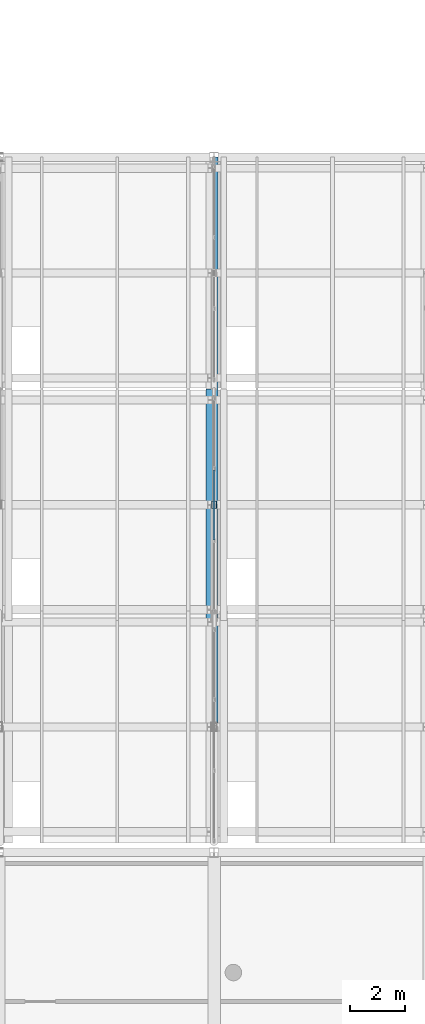
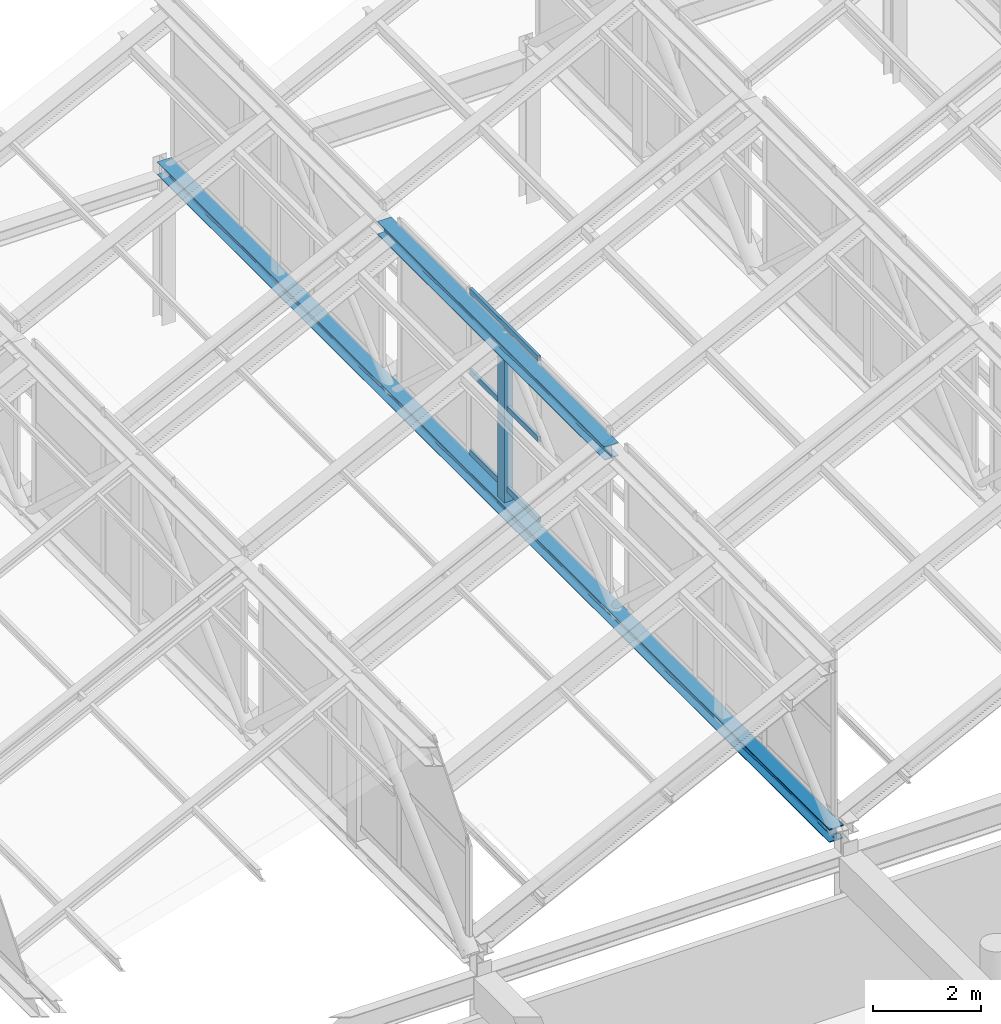
# One storey, part 36 of 101: 6 members, 1 element without a shape of its own.
"""IFC4 building model written with IfcOpenShell, lengths in metres."""

from ifc_helpers import new_model, si_unit, direction, frame, origin, origin_2d, place, context, subcontext, project, spatial, hollow_rectangle, i_section, extrude, material, layer, layer_set, material_profile, profile_set, type_object, element, aggregate, save


model = new_model("IFC4")

# Units and contexts
model_context = context("Model", 3, precision=1e-05, world=origin(), true_north=direction((0.0, 1.0)))
body_context = subcontext(model_context, "Body", "Model", "MODEL_VIEW")
ifc_project = project(units=[si_unit("LENGTHUNIT", "METRE"), si_unit("AREAUNIT", "SQUARE_METRE"), si_unit("VOLUMEUNIT", "CUBIC_METRE"), si_unit("PLANEANGLEUNIT", "RADIAN"), si_unit("MASSUNIT", "GRAM", prefix="KILO")], contexts=[model_context])

# Site, building, storey
site_placement = place(None, origin())
site = spatial("IfcSite", under=ifc_project, at=site_placement, CompositionType="ELEMENT")
building_placement = place(site_placement, origin())
building = spatial("IfcBuilding", under=site, at=building_placement, Name="Zizhar Promenade General Hospital", CompositionType="ELEMENT")
storey_placement = place(building_placement, frame((0.0, 0.0, 14.39990234375)))
storey = spatial("IfcBuildingStorey", under=building, at=storey_placement, Name="L03", CompositionType="ELEMENT", Elevation=14.39990234375)

# Curtain wall, members
ifc_material_1 = material(Name="Anodised aluminium 6063-T6 and low-E glass", Category="aluminium")
ifc_layer = layer(ifc_material_1, 0.159912109375)
ifc_layer_set = layer_set([ifc_layer], Name="Anodised aluminium 6063-T6 and low-E glass")
curtain_wall_type = type_object("IfcCurtainWallType", Name="CW-SAW-NL2", PredefinedType="NOTDEFINED", material=ifc_layer_set)
curtain_wall_placement = place(storey_placement, origin())
curtain_wall = element("IfcCurtainWall", 1, at=curtain_wall_placement, inside=storey, type_object=curtain_wall_type, Name="Sawtooth Clerestory Light B5-S2", PredefinedType="NOTDEFINED")
ifc_material_2 = material(Name="Anodised aluminium 6063-T6", Category="aluminium")
ifc_material_profile_1 = material_profile(ifc_material_2, hollow_rectangle(XDim=0.06005859375, YDim=0.1201171875, WallThickness=0.00390625, at=origin_2d()))
ifc_profile_set_1 = profile_set([ifc_material_profile_1], Name="Anodised aluminium 6063-T6")
member_type_1 = type_object("IfcMemberType", Name="CWT-ALU-120x60", PredefinedType="USERDEFINED", material=ifc_profile_set_1)
member_1_placement = place(storey_placement, frame((109.199951171875, 36.530029296875, 3.880126953125), z_axis=(0.0, 1.0, 0.0), x_axis=(-1.0, 0.0, 0.0)))
member_1 = element("IfcMember", 2, at=member_1_placement, type_object=member_type_1, Name="CW-04 transom 2.1", ObjectType="TRANSOM", PredefinedType="USERDEFINED", context=body_context, shape_type="SweptSolid", body=[
    extrude(hollow_rectangle(XDim=0.06005859375, YDim=0.1201171875, WallThickness=0.00390625, at=origin_2d()), origin(), (0.0, 0.0, 1.0), 2.5400390625),
])
member_2_placement = place(storey_placement, frame((109.199951171875, 36.530029296875, 5.7001953125), z_axis=(0.0, 1.0, 0.0), x_axis=(-1.0, 0.0, 0.0)))
member_2 = element("IfcMember", 3, at=member_2_placement, type_object=member_type_1, Name="CW-04 transom 2.2", ObjectType="TRANSOM", PredefinedType="USERDEFINED", context=body_context, shape_type="SweptSolid", body=[
    extrude(hollow_rectangle(XDim=0.06005859375, YDim=0.1201171875, WallThickness=0.00390625, at=origin_2d()), origin(), (0.0, 0.0, 1.0), 2.5400390625),
])
member_3_placement = place(storey_placement, frame((109.199951171875, 36.530029296875, 7.52001953125), z_axis=(0.0, 1.0, 0.0), x_axis=(-1.0, 0.0, 0.0)))
member_3 = element("IfcMember", 4, at=member_3_placement, type_object=member_type_1, Name="CW-04 transom 2.3", ObjectType="TRANSOM", PredefinedType="USERDEFINED", context=body_context, shape_type="SweptSolid", body=[
    extrude(hollow_rectangle(XDim=0.06005859375, YDim=0.1201171875, WallThickness=0.00390625, at=origin_2d()), origin(), (0.0, 0.0, 1.0), 2.5400390625),
])
aggregate(curtain_wall, [member_1, member_2, member_3])

# Members
ifc_material_3 = material(Name="Steel S355", Category="steel")
ifc_material_profile_2 = material_profile(ifc_material_3, i_section(OverallWidth=0.300048828125, OverallDepth=0.300048828125, WebThickness=0.010986328125, FlangeThickness=0.01904296875, FilletRadius=0.027099609375, at=origin_2d()))
ifc_profile_set_2 = profile_set([ifc_material_profile_2], Name="Steel S355")
member_type_2 = type_object("IfcMemberType", Name="MEM-CHORD-HEB300", PredefinedType="CHORD", material=ifc_profile_set_2)
member_4_placement = place(storey_placement, frame((109.199951171875, 25.550048828125, 3.4501953125), z_axis=(0.0, 1.0, 0.0), x_axis=(-1.0, 0.0, 0.0)))
element("IfcMember", 5, at=member_4_placement, inside=storey, type_object=member_type_2, Name="Sawtooth Truss Frame 6 Bottom Chord", PredefinedType="CHORD", context=body_context, shape_type="SweptSolid", body=[
    extrude(i_section(OverallWidth=0.300048828125, OverallDepth=0.300048828125, WebThickness=0.010986328125, FlangeThickness=0.01904296875, FilletRadius=0.027099609375, at=origin_2d()), origin(), (0.0, 0.0, 1.0), 24.849853515625),
])
member_5_placement = place(storey_placement, frame((109.050048828125, 33.60009765625, 7.25), z_axis=(0.0, 1.0, 0.0), x_axis=(-1.0, 0.0, 0.0)))
element("IfcMember", 6, at=member_5_placement, inside=storey, type_object=member_type_2, Name="Sawtooth Bay 5 Ridge Chord 2", PredefinedType="CHORD", context=body_context, shape_type="SweptSolid", body=[
    extrude(i_section(OverallWidth=0.300048828125, OverallDepth=0.300048828125, WebThickness=0.010986328125, FlangeThickness=0.01904296875, FilletRadius=0.027099609375, at=origin_2d()), origin(), (0.0, 0.0, 1.0), 8.39990234375),
])
ifc_material_4 = material(Name="Steel S355", Category="steel")
ifc_material_profile_3 = material_profile(ifc_material_4, hollow_rectangle(XDim=0.179931640625, YDim=0.260009765625, WallThickness=0.008056640625, at=origin_2d()))
ifc_profile_set_3 = profile_set([ifc_material_profile_3], Name="Steel S355")
member_type_3 = type_object("IfcMemberType", Name="MEM-STRUT-RHS260", PredefinedType="STRUT", material=ifc_profile_set_3)
member_6_placement = place(storey_placement, frame((109.199951171875, 37.800048828125, 3.4501953125), z_axis=(0.0, 0.0, 1.0), x_axis=(1.0, 0.0, 0.0)))
element("IfcMember", 7, at=member_6_placement, inside=storey, type_object=member_type_3, Name="Sawtooth Truss Frame 6 Vertical Post 2", PredefinedType="STRUT", context=body_context, shape_type="SweptSolid", body=[
    extrude(hollow_rectangle(XDim=0.179931640625, YDim=0.260009765625, WallThickness=0.008056640625, at=origin_2d()), origin(), (0.0, 0.0, 1.0), 3.89990234375),
])

save(model, "model.ifc")
